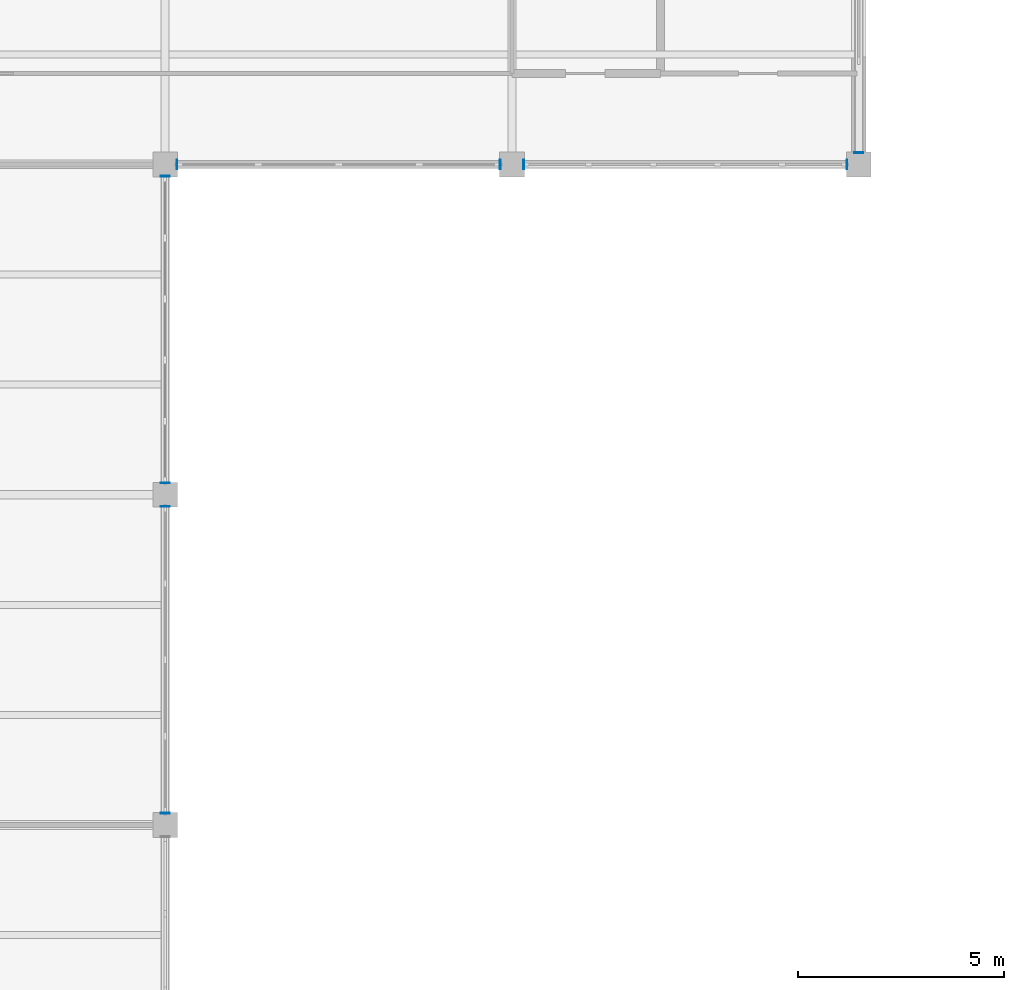
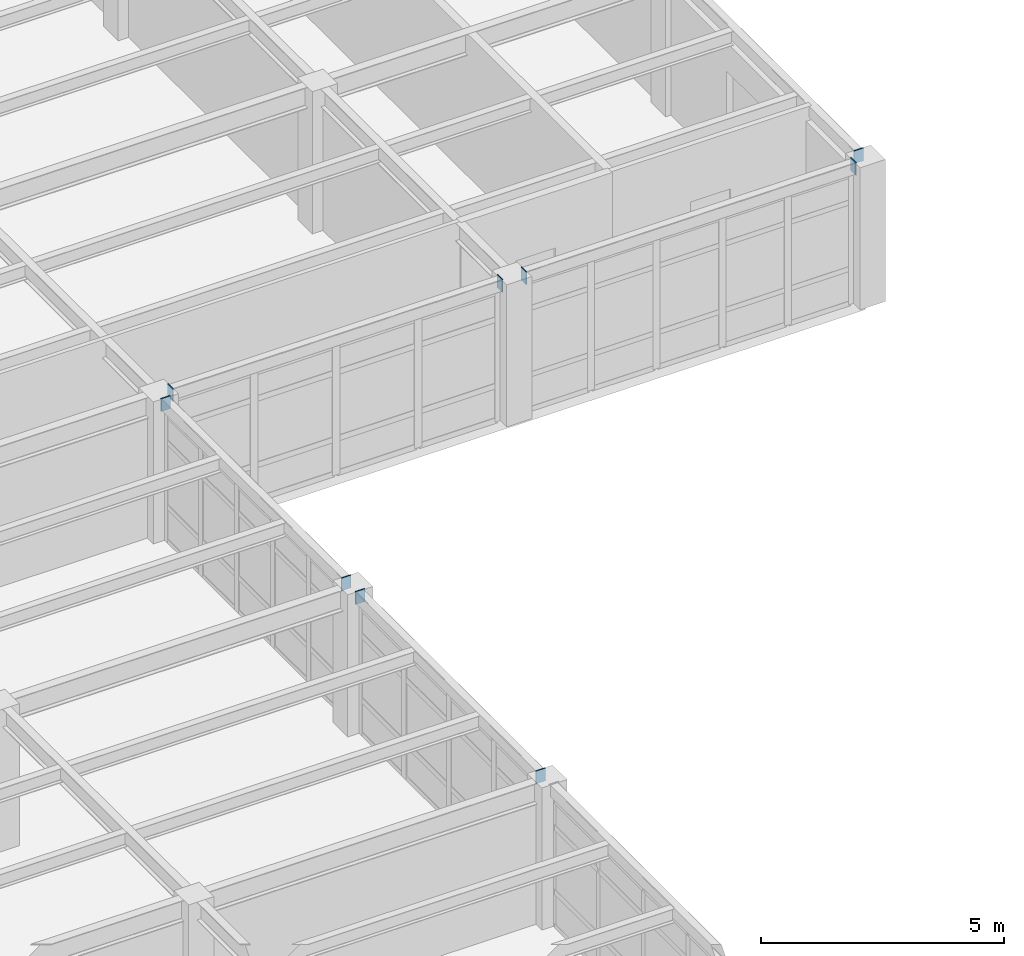
# One storey, part 73 of 96: 9 discrete accessories.
"""IFC4 building model written with IfcOpenShell, lengths in metres."""

from ifc_helpers import new_model, si_unit, direction, frame, origin, origin_2d, place, context, subcontext, project, spatial, rectangle, extrude, material, layer, layer_set, type_object, element, save


model = new_model("IFC4")

# Units and contexts
model_context = context("Model", 3, precision=1e-05, world=origin(), true_north=direction((0.0, 1.0)))
body_context = subcontext(model_context, "Body", "Model", "MODEL_VIEW")
ifc_project = project(units=[si_unit("LENGTHUNIT", "METRE"), si_unit("AREAUNIT", "SQUARE_METRE"), si_unit("VOLUMEUNIT", "CUBIC_METRE"), si_unit("PLANEANGLEUNIT", "RADIAN"), si_unit("MASSUNIT", "GRAM", prefix="KILO")], contexts=[model_context])

# Site, building, storey
site_placement = place(None, origin())
site = spatial("IfcSite", under=ifc_project, at=site_placement, CompositionType="ELEMENT")
building_placement = place(site_placement, origin())
building = spatial("IfcBuilding", under=site, at=building_placement, Name="Kranzveld Transit Interchange", CompositionType="ELEMENT")
storey_placement = place(building_placement, frame((0.0, 0.0, 9.52001953125)))
storey = spatial("IfcBuildingStorey", under=building, at=storey_placement, Name="L02", CompositionType="ELEMENT", Elevation=9.52001953125)

# Discrete accessories
ifc_material = material(Name="Steel S355JR", Category="steel")
ifc_layer = layer(ifc_material, 0.02001953125)
ifc_layer_set = layer_set([ifc_layer], Name="Steel S355JR")
discrete_accessory_type = type_object("IfcDiscreteAccessoryType", Name="Hollow Section End Cap Bracket 20 S355JR", PredefinedType="BRACKET", material=ifc_layer_set)
for number, where, z_axis, x_axis, name in (
    (1, (33.89404296875, 88.0, 3.419921875), (-1.0, 0.0, 0.0), (0.0, -1.0, 0.0), "Hollow Section End Cap SP-RHS300-1"),
    (2, (41.7060546875, 88.0, 3.419921875), (1.0, 0.0, 0.0), (0.0, 1.0, 0.0), "Hollow Section End Cap SP-RHS300-2"),
    (3, (42.2939453125, 88.0, 3.419921875), (-1.0, 0.0, 0.0), (0.0, -1.0, 0.0), "Hollow Section End Cap SP-RHS300-1"),
    (4, (50.10595703125, 88.0, 3.419921875), (1.0, 0.0, 0.0), (0.0, 1.0, 0.0), "Hollow Section End Cap SP-RHS300-2"),
    (5, (33.60009765625, 72.2939453125, 3.419921875), (0.0, -1.0, 0.0), (1.0, 0.0, 0.0), "Hollow Section End Cap SP-RHS300-1"),
    (6, (33.60009765625, 79.7060546875, 3.419921875), (0.0, 1.0, 0.0), (-1.0, 0.0, 0.0), "Hollow Section End Cap SP-RHS300-2"),
    (7, (33.60009765625, 80.2939453125, 3.419921875), (0.0, -1.0, 0.0), (1.0, 0.0, 0.0), "Hollow Section End Cap SP-RHS300-1"),
    (8, (33.60009765625, 87.7060546875, 3.419921875), (0.0, 1.0, 0.0), (-1.0, 0.0, 0.0), "Hollow Section End Cap SP-RHS300-2"),
    (9, (50.39990234375, 88.2939453125, 3.419921875), (0.0, -1.0, 0.0), (1.0, 0.0, 0.0), "Hollow Section End Cap SP-RHS300-1"),
):
    element("IfcDiscreteAccessory", number, at=place(storey_placement, frame(where, z_axis=z_axis, x_axis=x_axis)), inside=storey, type_object=discrete_accessory_type, Name=name, PredefinedType="BRACKET", context=body_context, shape_type="SweptSolid", body=[
        extrude(rectangle(XDim=0.22412109375, YDim=0.323974609375, at=origin_2d()), origin(), (0.0, 0.0, 1.0), 0.02001953125),
    ])

save(model, "model.ifc")
